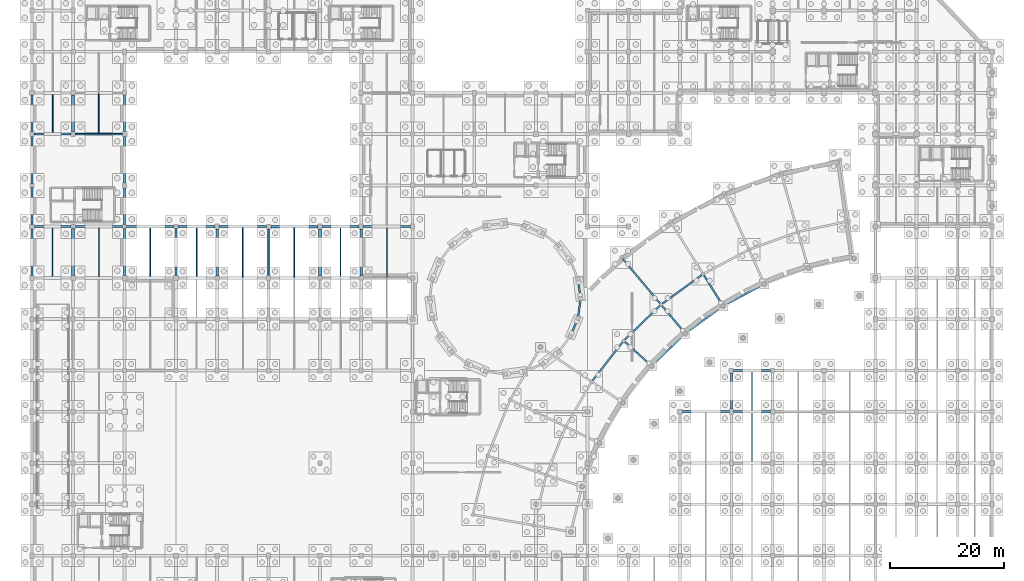
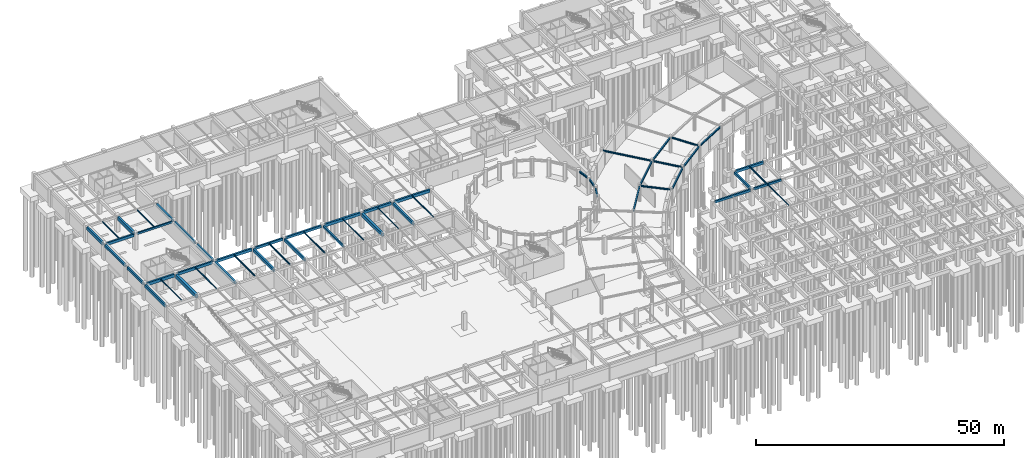
# One storey, part 21 of 42: 54 beams.
"""IFC4 building model written with IfcOpenShell, lengths in metres."""

import ifcopenshell
import ifcopenshell.guid

model = None  # the IFC model being written
_history = None  # IfcOwnerHistory: only IFC2X3 demands one
_inside = {}  # id of a spatial element -> (the spatial element, [elements in it])
_under = {}  # id of a project, library or spatial element -> (it, [spatial elements below it])
_declared = {}  # id of a project -> (the project, [libraries it declares])
_typed = {}  # id of a type object -> (the type object, [elements of that type])
_made_of = {}  # id of a material, layer set ... -> (it, [elements and type objects made of it])


def new_model(schema):
    """Start an empty IFC model of exactly this schema.

    Asked for "IFC4X3", IfcOpenShell would pick the latest addendum, in which some entities
    have other attributes; the version numbers below select the first issue.
    IFC2X3 requires an IfcOwnerHistory on every rooted entity: one is made here for all.
    """
    global model, _history
    if schema == "IFC4X3":
        model = ifcopenshell.file(schema_version=(4, 3, 0, 0))
    else:
        model = ifcopenshell.file(schema=schema)
    _inside.clear()
    _under.clear()
    _declared.clear()
    _typed.clear()
    _made_of.clear()
    _history = None
    if model.schema == "IFC2X3":
        org = make("IfcOrganization", Name="unknown")
        user = make(
            "IfcPersonAndOrganization",
            ThePerson=make("IfcPerson", FamilyName="unknown"),
            TheOrganization=org,
        )
        app = make(
            "IfcApplication",
            ApplicationDeveloper=org,
            Version="unknown",
            ApplicationFullName="unknown",
            ApplicationIdentifier="unknown",
        )
        _history = make(
            "IfcOwnerHistory",
            OwningUser=user,
            OwningApplication=app,
            ChangeAction="ADDED",
            CreationDate=0,
        )
    return model


def make(cls, **values):
    """One entity of the class cls with the attributes given. An attribute that is None is left unset."""
    return model.create_entity(
        cls, **{name: value for name, value in values.items() if value is not None}
    )


def rooted(cls, **values):
    """An entity with a GlobalId (a new one), such as an element, a storey or a relation."""
    return make(cls, GlobalId=ifcopenshell.guid.new(), OwnerHistory=_history, **values)


def si_unit(unit_type, name, prefix=None):
    """IfcSIUnit, for example si_unit("LENGTHUNIT", "METRE", prefix="MILLI")."""
    return make("IfcSIUnit", UnitType=unit_type, Prefix=prefix, Name=name)


def assignment(units):
    """IfcUnitAssignment: the units of a project."""
    return None if units is None else make("IfcUnitAssignment", Units=units)


def point(xyz):
    """IfcCartesianPoint."""
    return None if xyz is None else make("IfcCartesianPoint", Coordinates=xyz)


def direction(xyz):
    """IfcDirection."""
    return None if xyz is None else make("IfcDirection", DirectionRatios=xyz)


def frame(location, z_axis=None, x_axis=None):
    """IfcAxis2Placement3D, a coordinate frame: its origin and axes. An axis left out is left unset."""
    return make(
        "IfcAxis2Placement3D",
        Location=point(location),
        Axis=direction(z_axis),
        RefDirection=direction(x_axis),
    )


def frame_2d(location, x_axis=None):
    """IfcAxis2Placement2D, a coordinate frame in the plane: its origin and x axis."""
    return make(
        "IfcAxis2Placement2D", Location=point(location), RefDirection=direction(x_axis)
    )


def origin():
    """The frame at (0, 0, 0) with its axes left unset."""
    return frame((0.0, 0.0, 0.0))


def origin_2d():
    """The frame at (0, 0) in the plane with its x axis left unset."""
    return frame_2d((0.0, 0.0))


def place(relative_to, where):
    """IfcLocalPlacement: puts the frame where relative to a parent placement (None: the world)."""
    return make(
        "IfcLocalPlacement", PlacementRelTo=relative_to, RelativePlacement=where
    )


def context(
    kind, dimensions, precision=None, world=None, true_north=None, identifier=None
):
    """IfcGeometricRepresentationContext, for example the 3D "Model" context."""
    return make(
        "IfcGeometricRepresentationContext",
        ContextIdentifier=identifier,
        ContextType=kind,
        CoordinateSpaceDimension=dimensions,
        Precision=precision,
        WorldCoordinateSystem=world,
        TrueNorth=true_north,
    )


def subcontext(parent, identifier, kind, view, scale=None):
    """IfcGeometricRepresentationSubContext, for example "Body" below "Model"."""
    return make(
        "IfcGeometricRepresentationSubContext",
        ContextIdentifier=identifier,
        ContextType=kind,
        ParentContext=parent,
        TargetScale=scale,
        TargetView=view,
    )


def project(units=None, contexts=None):
    """IfcProject with its units and contexts."""
    return rooted(
        "IfcProject",
        Name="project",
        RepresentationContexts=contexts,
        UnitsInContext=assignment(units),
    )


def spatial(cls, under=None, at=None, **own):
    """A site, building, storey or space (cls), placed at a placement, below another one or the project."""
    s = rooted(cls, ObjectPlacement=at, **own)
    if under is not None:
        _under.setdefault(under.id(), (under, []))[1].append(s)
    return s


def profile(cls, at=None, kind="AREA", **sizes):
    """A parametric profile (cls). Its sizes go by their IFC names, for example OverallWidth=200.0."""
    return make(cls, ProfileType=kind, Position=at, **sizes)


def rectangle(**sizes):
    """IfcRectangleProfileDef."""
    return profile("IfcRectangleProfileDef", **sizes)


def i_section(**sizes):
    """IfcIShapeProfileDef."""
    return profile("IfcIShapeProfileDef", **sizes)


def extrude(swept, where, along, depth):
    """IfcExtrudedAreaSolid: the profile swept, set in the frame where, extruded along a direction by depth."""
    return make(
        "IfcExtrudedAreaSolid",
        SweptArea=swept,
        Position=where,
        ExtrudedDirection=direction(along),
        Depth=depth,
    )


def shape(context_of_items, identifier, shape_type, items):
    """IfcShapeRepresentation: the items that make up one representation, for example the "Body"."""
    return make(
        "IfcShapeRepresentation",
        ContextOfItems=context_of_items,
        RepresentationIdentifier=identifier,
        RepresentationType=shape_type,
        Items=items,
    )


def material(Name=None, Category=None):
    """IfcMaterial."""
    return make("IfcMaterial", Name=Name, Category=Category)


def material_profile(
    of_material, cross_section, Name=None, Category=None, Priority=None
):
    """IfcMaterialProfile: a cross section and its material."""
    return make(
        "IfcMaterialProfile",
        Name=Name,
        Material=of_material,
        Profile=cross_section,
        Priority=Priority,
        Category=Category,
    )


def profile_set(profiles, Name=None, composite=None):
    """IfcMaterialProfileSet."""
    return make(
        "IfcMaterialProfileSet",
        Name=Name,
        MaterialProfiles=profiles,
        CompositeProfile=composite,
    )


def made_of(thing, what):
    """Note that an element or type object is made of a material, layer set ...; save() writes the relation."""
    if what is not None:
        _made_of.setdefault(what.id(), (what, []))[1].append(thing)
    return thing


def type_object(cls, material=None, **own):
    """A type object (cls), such as IfcWallType, which elements share."""
    return made_of(rooted(cls, **own), material)


def element(
    cls,
    number,
    at=None,
    inside=None,
    cuts=None,
    type_object=None,
    material=None,
    context=None,
    identifier="Body",
    shape_type=None,
    held_by="IfcProductDefinitionShape",
    body=None,
    shapes=None,
    **own,
):
    """One element of the class cls, such as IfcWall. Its Tag is "e" and its number.

    at: its placement. inside: the storey or other place that contains it. cuts: it is an
    opening in that element (IfcRelVoidsElement). A single representation is given by context,
    identifier, shape_type and body (its items); several are given by shapes. held_by: the class
    of the entity that holds the representations. save() writes the other relations.
    """
    e = rooted(cls, Tag="e%d" % number, ObjectPlacement=at, **own)
    if body is not None:
        shapes = [shape(context, identifier, shape_type, body)]
    if shapes is not None:
        e.Representation = make(held_by, Representations=shapes)
    if inside is not None:
        _inside.setdefault(inside.id(), (inside, []))[1].append(e)
    if cuts is not None:
        rooted(
            "IfcRelVoidsElement", RelatingBuildingElement=cuts, RelatedOpeningElement=e
        )
    if type_object is not None:
        _typed.setdefault(type_object.id(), (type_object, []))[1].append(e)
    return made_of(e, material)


def aggregate(whole, parts):
    """IfcRelAggregates: a whole, such as a stair, and the parts it consists of."""
    return rooted("IfcRelAggregates", RelatingObject=whole, RelatedObjects=parts)


def save(model, path):
    """Write the relations noted so far, then the file.

    IfcRelAggregates (storeys below a building ...), IfcRelContainedInSpatialStructure (elements
    in a storey), IfcRelDefinesByType, IfcRelAssociatesMaterial and IfcRelDeclares: one each for
    every whole, place, type object, material and project.
    """
    for whole, parts in _under.values():
        aggregate(whole, parts)
    for where, things in _inside.values():
        rooted(
            "IfcRelContainedInSpatialStructure",
            RelatedElements=things,
            RelatingStructure=where,
        )
    for kind, things in _typed.values():
        rooted("IfcRelDefinesByType", RelatedObjects=things, RelatingType=kind)
    for what, things in _made_of.values():
        rooted("IfcRelAssociatesMaterial", RelatedObjects=things, RelatingMaterial=what)
    for by, libraries in _declared.values():
        rooted("IfcRelDeclares", RelatingContext=by, RelatedDefinitions=libraries)
    model.write(path)


model = new_model("IFC4")

# Units and contexts
model_context = context("Model", 3, precision=1e-05, world=origin(), true_north=direction((0.0, 1.0)))
body_context = subcontext(model_context, "Body", "Model", "MODEL_VIEW")
ifc_project = project(units=[si_unit("LENGTHUNIT", "METRE"), si_unit("AREAUNIT", "SQUARE_METRE"), si_unit("VOLUMEUNIT", "CUBIC_METRE"), si_unit("PLANEANGLEUNIT", "RADIAN"), si_unit("MASSUNIT", "GRAM", prefix="KILO")], contexts=[model_context])

# Site, building, storey
site_placement = place(None, origin())
site = spatial("IfcSite", under=ifc_project, at=site_placement, CompositionType="ELEMENT")
building_placement = place(site_placement, origin())
building = spatial("IfcBuilding", under=site, at=building_placement, Name="Clarverna Civic Hall", CompositionType="ELEMENT")
storey_placement = place(building_placement, frame((0.0, 0.0, -4.199951171875)))
storey = spatial("IfcBuildingStorey", under=building, at=storey_placement, Name="B01", CompositionType="ELEMENT", Elevation=-4.199951171875)

# Beams
ifc_material_1 = material(Name="Concrete C35/45", Category="concrete")
ifc_material_profile_1 = material_profile(ifc_material_1, rectangle(XDim=0.5, YDim=0.85009765625, at=origin_2d()), Name="RC 500x850")
ifc_profile_set_1 = profile_set([ifc_material_profile_1], Name="Concrete C35/45")
beam_type_1 = type_object("IfcBeamType", Name="B-RC1", PredefinedType="BEAM", material=ifc_profile_set_1)
beam_1_placement = place(storey_placement, frame((50.39990234375, 62.97509765625, 3.4150390625), z_axis=(0.0, 1.0, 0.0), x_axis=(-1.0, 0.0, 0.0)))
element("IfcBeam", 1, at=beam_1_placement, inside=storey, type_object=beam_type_1, Name="B-RC1-009", PredefinedType="BEAM", context=body_context, shape_type="SweptSolid", body=[
    extrude(rectangle(XDim=0.5, YDim=0.85009765625, at=origin_2d()), origin(), (0.0, 0.0, 1.0), 8.1748046875),
])
ifc_material_profile_2 = material_profile(ifc_material_1, rectangle(XDim=0.35009765625, YDim=0.5, at=origin_2d()), Name="RC 350x500")
ifc_profile_set_2 = profile_set([ifc_material_profile_2], Name="Concrete C35/45")
beam_type_2 = type_object("IfcBeamType", Name="B-RC10", PredefinedType="BEAM", material=ifc_profile_set_2)
beam_2_placement = place(storey_placement, frame((122.75, 39.199951171875, 3.699951171875), z_axis=(1.0, 0.0, 0.0), x_axis=(0.0, 1.0, 0.0)))
element("IfcBeam", 2, at=beam_2_placement, inside=storey, type_object=beam_type_2, Name="B-RC10-004", PredefinedType="BEAM", context=body_context, shape_type="SweptSolid", body=[
    extrude(rectangle(XDim=0.35009765625, YDim=0.5, at=origin_2d()), origin(), (0.0, 0.0, 1.0), 6.449951171875),
])
ifc_material_profile_3 = material_profile(ifc_material_1, rectangle(XDim=0.300048828125, YDim=0.5, at=origin_2d()), Name="RC 300x500")
ifc_profile_set_3 = profile_set([ifc_material_profile_3], Name="Concrete C35/45")
beam_type_3 = type_object("IfcBeamType", Name="B-RC12", PredefinedType="BEAM", material=ifc_profile_set_3)
beam_3_placement = place(storey_placement, frame((41.39990234375, 63.050048828125, 3.58984375), z_axis=(0.0, 1.0, 0.0), x_axis=(-1.0, 0.0, 0.0)))
element("IfcBeam", 3, at=beam_3_placement, inside=storey, type_object=beam_type_3, Name="B-RC12-012", PredefinedType="BEAM", context=body_context, shape_type="SweptSolid", body=[
    extrude(rectangle(XDim=0.300048828125, YDim=0.5, at=origin_2d()), origin(), (0.0, 0.0, 1.0), 8.14990234375),
])
ifc_material_profile_4 = material_profile(ifc_material_1, rectangle(XDim=0.550048828125, YDim=0.89990234375, at=origin_2d()), Name="RC 550x900")
ifc_profile_set_4 = profile_set([ifc_material_profile_4], Name="Concrete C35/45")
beam_type_4 = type_object("IfcBeamType", Name="B-RC13", PredefinedType="BEAM", material=ifc_profile_set_4)
beam_4_placement = place(storey_placement, frame((7.199951171875, 63.0, 3.389892578125), z_axis=(0.0, 1.0, 0.0), x_axis=(-1.0, 0.0, 0.0)))
element("IfcBeam", 4, at=beam_4_placement, inside=storey, type_object=beam_type_4, Name="B-RC13-008", PredefinedType="BEAM", context=body_context, shape_type="SweptSolid", body=[
    extrude(rectangle(XDim=0.550048828125, YDim=0.89990234375, at=origin_2d()), origin(), (0.0, 0.0, 1.0), 8.22509765625),
])
ifc_material_profile_5 = material_profile(ifc_material_1, rectangle(XDim=0.5, YDim=0.800048828125, at=origin_2d()), Name="RC 500x800")
ifc_profile_set_5 = profile_set([ifc_material_profile_5], Name="Concrete C35/45")
beam_type_5 = type_object("IfcBeamType", Name="B-RC14", PredefinedType="BEAM", material=ifc_profile_set_5)
beam_5_placement = place(storey_placement, frame((7.199951171875, 88.25, 3.43994140625), z_axis=(0.0, 1.0, 0.0), x_axis=(-1.0, 0.0, 0.0)))
element("IfcBeam", 5, at=beam_5_placement, inside=storey, type_object=beam_type_5, Name="B-RC14-009", PredefinedType="BEAM", context=body_context, shape_type="SweptSolid", body=[
    extrude(rectangle(XDim=0.5, YDim=0.800048828125, at=origin_2d()), origin(), (0.0, 0.0, 1.0), 6.35009765625),
])
ifc_material_profile_6 = material_profile(ifc_material_1, rectangle(XDim=0.39990234375, YDim=0.75, at=origin_2d()), Name="RC 400x750")
ifc_profile_set_6 = profile_set([ifc_material_profile_6], Name="Concrete C35/45")
beam_type_6 = type_object("IfcBeamType", Name="B-RC16", PredefinedType="BEAM", material=ifc_profile_set_6)
beam_6_placement = place(storey_placement, frame((0.39990234375, 71.60009765625, 3.46484375), z_axis=(1.0, 0.0, 0.0), x_axis=(0.0, 1.0, 0.0)))
element("IfcBeam", 6, at=beam_6_placement, inside=storey, type_object=beam_type_6, Name="B-RC16-006", PredefinedType="BEAM", context=body_context, shape_type="SweptSolid", body=[
    extrude(rectangle(XDim=0.39990234375, YDim=0.75, at=origin_2d()), origin(), (0.0, 0.0, 1.0), 6.425048828125),
])
beam_7_placement = place(storey_placement, frame((25.199951171875, 63.0, 3.46484375), z_axis=(0.0, 1.0, 0.0), x_axis=(-1.0, 0.0, 0.0)))
element("IfcBeam", 7, at=beam_7_placement, inside=storey, type_object=beam_type_6, Name="B-RC16-011", PredefinedType="BEAM", context=body_context, shape_type="SweptSolid", body=[
    extrude(rectangle(XDim=0.39990234375, YDim=0.75, at=origin_2d()), origin(), (0.0, 0.0, 1.0), 8.22509765625),
])
ifc_material_profile_7 = material_profile(ifc_material_1, rectangle(XDim=0.35009765625, YDim=0.64990234375, at=origin_2d()), Name="RC 350x650")
ifc_profile_set_7 = profile_set([ifc_material_profile_7], Name="Concrete C35/45")
beam_type_7 = type_object("IfcBeamType", Name="B-RC17", PredefinedType="BEAM", material=ifc_profile_set_7)
beam_8_placement = place(storey_placement, frame((7.574951171875, 71.60009765625, 3.514892578125), z_axis=(1.0, 0.0, 0.0), x_axis=(0.0, 1.0, 0.0)))
element("IfcBeam", 8, at=beam_8_placement, inside=storey, type_object=beam_type_7, Name="B-RC17-006", PredefinedType="BEAM", context=body_context, shape_type="SweptSolid", body=[
    extrude(rectangle(XDim=0.35009765625, YDim=0.64990234375, at=origin_2d()), origin(), (0.0, 0.0, 1.0), 8.25),
])
beam_9_placement = place(storey_placement, frame((0.35009765625, 87.800048828125, 3.514892578125), z_axis=(1.0, 0.0, 0.0), x_axis=(0.0, 1.0, 0.0)))
element("IfcBeam", 9, at=beam_9_placement, inside=storey, type_object=beam_type_7, Name="B-RC17-007", PredefinedType="BEAM", context=body_context, shape_type="SweptSolid", body=[
    extrude(rectangle(XDim=0.35009765625, YDim=0.64990234375, at=origin_2d()), origin(), (0.0, 0.0, 1.0), 6.5),
])
ifc_material_profile_8 = material_profile(ifc_material_1, rectangle(XDim=0.300048828125, YDim=0.449951171875, at=origin_2d()), Name="RC 300x450")
ifc_profile_set_8 = profile_set([ifc_material_profile_8], Name="Concrete C35/45")
beam_type_8 = type_object("IfcBeamType", Name="B-RC18", PredefinedType="BEAM", material=ifc_profile_set_8)
beam_10_placement = place(storey_placement, frame((7.550048828125, 87.800048828125, 3.614990234375), z_axis=(1.0, 0.0, 0.0), x_axis=(0.0, 1.0, 0.0)))
element("IfcBeam", 10, at=beam_10_placement, inside=storey, type_object=beam_type_8, Name="B-RC18-006", PredefinedType="BEAM", context=body_context, shape_type="SweptSolid", body=[
    extrude(rectangle(XDim=0.300048828125, YDim=0.449951171875, at=origin_2d()), origin(), (0.0, 0.0, 1.0), 8.25),
])
ifc_material_profile_9 = material_profile(ifc_material_1, rectangle(XDim=0.39990234375, YDim=0.699951171875, at=origin_2d()), Name="RC 400x700")
ifc_profile_set_9 = profile_set([ifc_material_profile_9], Name="Concrete C35/45")
beam_type_9 = type_object("IfcBeamType", Name="B-RC5", PredefinedType="BEAM", material=ifc_profile_set_9)
beam_11_placement = place(storey_placement, frame((57.949951171875, 71.60009765625, 3.489990234375), z_axis=(1.0, 0.0, 0.0), x_axis=(0.0, 1.0, 0.0)))
element("IfcBeam", 11, at=beam_11_placement, inside=storey, type_object=beam_type_9, Name="B-RC5-007", PredefinedType="BEAM", context=body_context, shape_type="SweptSolid", body=[
    extrude(rectangle(XDim=0.39990234375, YDim=0.699951171875, at=origin_2d()), origin(), (0.0, 0.0, 1.0), 8.300048828125),
])
beam_12_placement = place(storey_placement, frame((32.39990234375, 62.97509765625, 3.489990234375), z_axis=(0.0, 1.0, 0.0), x_axis=(-1.0, 0.0, 0.0)))
element("IfcBeam", 12, at=beam_12_placement, inside=storey, type_object=beam_type_9, Name="B-RC5-012", PredefinedType="BEAM", context=body_context, shape_type="SweptSolid", body=[
    extrude(rectangle(XDim=0.39990234375, YDim=0.699951171875, at=origin_2d()), origin(), (0.0, 0.0, 1.0), 8.1748046875),
])
ifc_material_profile_10 = material_profile(ifc_material_1, rectangle(XDim=0.39990234375, YDim=0.64990234375, at=origin_2d()), Name="RC 400x650")
ifc_profile_set_10 = profile_set([ifc_material_profile_10], Name="Concrete C35/45")
beam_type_10 = type_object("IfcBeamType", Name="B-RC6", PredefinedType="BEAM", material=ifc_profile_set_10)
beam_13_placement = place(storey_placement, frame((122.800048828125, 46.39990234375, 3.625), z_axis=(1.0, 0.0, 0.0), x_axis=(0.0, 1.0, 0.0)))
element("IfcBeam", 13, at=beam_13_placement, inside=storey, type_object=beam_type_10, Name="B-RC6-004", PredefinedType="BEAM", context=body_context, shape_type="SweptSolid", body=[
    extrude(rectangle(XDim=0.39990234375, YDim=0.64990234375, at=origin_2d()), origin(), (0.0, 0.0, 1.0), 6.425048828125),
])
beam_14_placement = place(storey_placement, frame((57.60009765625, 62.97509765625, 3.514892578125), z_axis=(0.0, 1.0, 0.0), x_axis=(-1.0, 0.0, 0.0)))
element("IfcBeam", 14, at=beam_14_placement, inside=storey, type_object=beam_type_10, Name="B-RC6-011", PredefinedType="BEAM", context=body_context, shape_type="SweptSolid", body=[
    extrude(rectangle(XDim=0.39990234375, YDim=0.64990234375, at=origin_2d()), origin(), (0.0, 0.0, 1.0), 8.1748046875),
])
ifc_material_profile_11 = material_profile(ifc_material_1, rectangle(XDim=0.39990234375, YDim=0.60009765625, at=origin_2d()), Name="RC 400x600")
ifc_profile_set_11 = profile_set([ifc_material_profile_11], Name="Concrete C35/45")
beam_type_11 = type_object("IfcBeamType", Name="B-RC7", PredefinedType="BEAM", material=ifc_profile_set_11)
beam_15_placement = place(storey_placement, frame((16.199951171875, 63.0, 3.5400390625), z_axis=(0.0, 1.0, 0.0), x_axis=(-1.0, 0.0, 0.0)))
element("IfcBeam", 15, at=beam_15_placement, inside=storey, type_object=beam_type_11, Name="B-RC7-011", PredefinedType="BEAM", context=body_context, shape_type="SweptSolid", body=[
    extrude(rectangle(XDim=0.39990234375, YDim=0.60009765625, at=origin_2d()), origin(), (0.0, 0.0, 1.0), 8.22509765625),
])
ifc_material_profile_12 = material_profile(ifc_material_1, rectangle(XDim=0.35009765625, YDim=0.550048828125, at=origin_2d()), Name="RC 350x550")
ifc_profile_set_12 = profile_set([ifc_material_profile_12], Name="Concrete C35/45")
beam_type_12 = type_object("IfcBeamType", Name="B-RC9", PredefinedType="BEAM", material=ifc_profile_set_12)
beam_16_placement = place(storey_placement, frame((113.800048828125, 39.199951171875, 3.675048828125), z_axis=(1.0, 0.0, 0.0), x_axis=(0.0, 1.0, 0.0)))
element("IfcBeam", 16, at=beam_16_placement, inside=storey, type_object=beam_type_12, Name="B-RC9-004", PredefinedType="BEAM", context=body_context, shape_type="SweptSolid", body=[
    extrude(rectangle(XDim=0.35009765625, YDim=0.550048828125, at=origin_2d()), origin(), (0.0, 0.0, 1.0), 8.25),
])
beam_17_placement = place(storey_placement, frame((122.39990234375, 39.64990234375, 3.675048828125), z_axis=(0.0, 1.0, 0.0), x_axis=(-1.0, 0.0, 0.0)))
element("IfcBeam", 17, at=beam_17_placement, inside=storey, type_object=beam_type_12, Name="B-RC9-013", PredefinedType="BEAM", context=body_context, shape_type="SweptSolid", body=[
    extrude(rectangle(XDim=0.35009765625, YDim=0.550048828125, at=origin_2d()), origin(), (0.0, 0.0, 1.0), 6.35009765625),
])
ifc_material_profile_13 = material_profile(ifc_material_1, rectangle(XDim=0.419921875, YDim=0.719970703125, at=origin_2d()), Name="RC 420x720")
ifc_profile_set_13 = profile_set([ifc_material_profile_13], Name="Concrete C35/45")
beam_type_13 = type_object("IfcBeamType", Name="B-SP1", PredefinedType="SPANDREL", material=ifc_profile_set_13)
beam_18_placement = place(storey_placement, frame((41.800048828125, 71.60009765625, 3.47998046875), z_axis=(1.0, 0.0, 0.0), x_axis=(0.0, 1.0, 0.0)))
element("IfcBeam", 18, at=beam_18_placement, inside=storey, type_object=beam_type_13, Name="B-SP1-007", PredefinedType="SPANDREL", context=body_context, shape_type="SweptSolid", body=[
    extrude(rectangle(XDim=0.419921875, YDim=0.719970703125, at=origin_2d()), origin(), (0.0, 0.0, 1.0), 8.25),
])
beam_19_placement = place(storey_placement, frame((0.0, 88.25, 3.47998046875), z_axis=(0.0, 1.0, 0.0), x_axis=(-1.0, 0.0, 0.0)))
element("IfcBeam", 19, at=beam_19_placement, inside=storey, type_object=beam_type_13, Name="B-SP1-019", PredefinedType="SPANDREL", context=body_context, shape_type="SweptSolid", body=[
    extrude(rectangle(XDim=0.419921875, YDim=0.719970703125, at=origin_2d()), origin(), (0.0, 0.0, 1.0), 6.35009765625),
])
ifc_material_profile_14 = material_profile(ifc_material_1, rectangle(XDim=0.3798828125, YDim=0.679931640625, at=origin_2d()), Name="RC 380x680")
ifc_profile_set_14 = profile_set([ifc_material_profile_14], Name="Concrete C35/45")
beam_type_14 = type_object("IfcBeamType", Name="B-SP2", PredefinedType="SPANDREL", material=ifc_profile_set_14)
beam_20_placement = place(storey_placement, frame((16.574951171875, 71.60009765625, 3.5), z_axis=(1.0, 0.0, 0.0), x_axis=(0.0, 1.0, 0.0)))
element("IfcBeam", 20, at=beam_20_placement, inside=storey, type_object=beam_type_14, Name="B-SP2-007", PredefinedType="SPANDREL", context=body_context, shape_type="SweptSolid", body=[
    extrude(rectangle(XDim=0.3798828125, YDim=0.679931640625, at=origin_2d()), origin(), (0.0, 0.0, 1.0), 8.25),
])
beam_21_placement = place(storey_placement, frame((50.75, 71.60009765625, 3.5), z_axis=(1.0, 0.0, 0.0), x_axis=(0.0, 1.0, 0.0)))
element("IfcBeam", 21, at=beam_21_placement, inside=storey, type_object=beam_type_14, Name="B-SP2-008", PredefinedType="SPANDREL", context=body_context, shape_type="SweptSolid", body=[
    extrude(rectangle(XDim=0.3798828125, YDim=0.679931640625, at=origin_2d()), origin(), (0.0, 0.0, 1.0), 6.5),
])
beam_22_placement = place(storey_placement, frame((0.0, 63.050048828125, 3.5), z_axis=(0.0, 1.0, 0.0), x_axis=(-1.0, 0.0, 0.0)))
element("IfcBeam", 22, at=beam_22_placement, inside=storey, type_object=beam_type_14, Name="B-SP2-018", PredefinedType="SPANDREL", context=body_context, shape_type="SweptSolid", body=[
    extrude(rectangle(XDim=0.3798828125, YDim=0.679931640625, at=origin_2d()), origin(), (0.0, 0.0, 1.0), 8.14990234375),
])
beam_23_placement = place(storey_placement, frame((16.199951171875, 71.97509765625, 3.5), z_axis=(0.0, 1.0, 0.0), x_axis=(-1.0, 0.0, 0.0)))
element("IfcBeam", 23, at=beam_23_placement, inside=storey, type_object=beam_type_14, Name="B-SP2-020", PredefinedType="SPANDREL", context=body_context, shape_type="SweptSolid", body=[
    extrude(rectangle(XDim=0.3798828125, YDim=0.679931640625, at=origin_2d()), origin(), (0.0, 0.0, 1.0), 6.375),
])
ifc_material_profile_15 = material_profile(ifc_material_1, rectangle(XDim=0.360107421875, YDim=0.6201171875, at=origin_2d()), Name="RC 360x620")
ifc_profile_set_15 = profile_set([ifc_material_profile_15], Name="Concrete C35/45")
beam_type_15 = type_object("IfcBeamType", Name="B-SP3", PredefinedType="SPANDREL", material=ifc_profile_set_15)
beam_24_placement = place(storey_placement, frame((25.574951171875, 71.60009765625, 3.530029296875), z_axis=(1.0, 0.0, 0.0), x_axis=(0.0, 1.0, 0.0)))
element("IfcBeam", 24, at=beam_24_placement, inside=storey, type_object=beam_type_15, Name="B-SP3-008", PredefinedType="SPANDREL", context=body_context, shape_type="SweptSolid", body=[
    extrude(rectangle(XDim=0.360107421875, YDim=0.6201171875, at=origin_2d()), origin(), (0.0, 0.0, 1.0), 6.47509765625),
])
beam_25_placement = place(storey_placement, frame((0.0, 72.0, 3.530029296875), z_axis=(0.0, 1.0, 0.0), x_axis=(-1.0, 0.0, 0.0)))
element("IfcBeam", 25, at=beam_25_placement, inside=storey, type_object=beam_type_15, Name="B-SP3-018", PredefinedType="SPANDREL", context=body_context, shape_type="SweptSolid", body=[
    extrude(rectangle(XDim=0.360107421875, YDim=0.6201171875, at=origin_2d()), origin(), (0.0, 0.0, 1.0), 6.425048828125),
])
beam_26_placement = place(storey_placement, frame((16.199951171875, 79.25, 3.530029296875), z_axis=(0.0, 1.0, 0.0), x_axis=(-1.0, 0.0, 0.0)))
element("IfcBeam", 26, at=beam_26_placement, inside=storey, type_object=beam_type_15, Name="B-SP3-020", PredefinedType="SPANDREL", context=body_context, shape_type="SweptSolid", body=[
    extrude(rectangle(XDim=0.360107421875, YDim=0.6201171875, at=origin_2d()), origin(), (0.0, 0.0, 1.0), 8.14990234375),
])
ifc_material_profile_16 = material_profile(ifc_material_1, rectangle(XDim=0.39990234375, YDim=0.56005859375, at=origin_2d()), Name="RC 400x560")
ifc_profile_set_16 = profile_set([ifc_material_profile_16], Name="Concrete C35/45")
beam_type_16 = type_object("IfcBeamType", Name="B-SP4", PredefinedType="SPANDREL", material=ifc_profile_set_16)
beam_27_placement = place(storey_placement, frame((32.75, 71.60009765625, 3.56005859375), z_axis=(1.0, 0.0, 0.0), x_axis=(0.0, 1.0, 0.0)))
element("IfcBeam", 27, at=beam_27_placement, inside=storey, type_object=beam_type_16, Name="B-SP4-008", PredefinedType="SPANDREL", context=body_context, shape_type="SweptSolid", body=[
    extrude(rectangle(XDim=0.39990234375, YDim=0.56005859375, at=origin_2d()), origin(), (0.0, 0.0, 1.0), 8.25),
])
beam_28_placement = place(storey_placement, frame((0.0, 79.175048828125, 3.56005859375), z_axis=(0.0, 1.0, 0.0), x_axis=(-1.0, 0.0, 0.0)))
element("IfcBeam", 28, at=beam_28_placement, inside=storey, type_object=beam_type_16, Name="B-SP4-018", PredefinedType="SPANDREL", context=body_context, shape_type="SweptSolid", body=[
    extrude(rectangle(XDim=0.39990234375, YDim=0.56005859375, at=origin_2d()), origin(), (0.0, 0.0, 1.0), 8.175048828125),
])
beam_29_placement = place(storey_placement, frame((16.199951171875, 88.199951171875, 3.56005859375), z_axis=(0.0, 1.0, 0.0), x_axis=(-1.0, 0.0, 0.0)))
element("IfcBeam", 29, at=beam_29_placement, inside=storey, type_object=beam_type_16, Name="B-SP4-020", PredefinedType="SPANDREL", context=body_context, shape_type="SweptSolid", body=[
    extrude(rectangle(XDim=0.39990234375, YDim=0.56005859375, at=origin_2d()), origin(), (0.0, 0.0, 1.0), 6.425048828125),
])
ifc_material_2 = material(Name="Steel S355", Category="steel")
ifc_material_profile_17 = material_profile(ifc_material_2, i_section(OverallWidth=0.300048828125, OverallDepth=0.43994140625, WebThickness=0.011474609375, FlangeThickness=0.02099609375, FilletRadius=0.027099609375, at=origin_2d()), Name="HEA 450")
ifc_profile_set_17 = profile_set([ifc_material_profile_17], Name="Steel S355")
beam_type_17 = type_object("IfcBeamType", Name="B-ST5", PredefinedType="BEAM", material=ifc_profile_set_17)
beam_30_placement = place(storey_placement, frame((95.94970703125, 59.381591796875, 3.619873046875), z_axis=(-0.130466312892, 0.991452742797, 0.0), x_axis=(-0.991452742797, -0.130466312892, 0.0)))
element("IfcBeam", 30, at=beam_30_placement, inside=storey, type_object=beam_type_17, Name="B-ST5-001", PredefinedType="BEAM", context=body_context, shape_type="SweptSolid", body=[
    extrude(i_section(OverallWidth=0.300048828125, OverallDepth=0.43994140625, WebThickness=0.011474609375, FlangeThickness=0.02099609375, FilletRadius=0.027099609375, at=origin_2d()), origin(), (0.0, 0.0, 1.0), 2.676025390625),
])
beam_31_placement = place(storey_placement, frame((94.37890625, 52.755615234375, 3.619873046875), z_axis=(0.382658002616, 0.923890065448, 0.0), x_axis=(-0.923890065448, 0.382658002616, 0.0)))
element("IfcBeam", 31, at=beam_31_placement, inside=storey, type_object=beam_type_17, Name="B-ST5-023", PredefinedType="BEAM", context=body_context, shape_type="SweptSolid", body=[
    extrude(i_section(OverallWidth=0.300048828125, OverallDepth=0.43994140625, WebThickness=0.011474609375, FlangeThickness=0.02099609375, FilletRadius=0.027099609375, at=origin_2d()), origin(), (0.0, 0.0, 1.0), 2.67578125),
])
beam_32_placement = place(storey_placement, frame((95.6005859375, 55.96533203125, 3.619873046875), z_axis=(0.130466312892, 0.991452742797, 0.0), x_axis=(-0.991452742797, 0.130466312892, 0.0)))
element("IfcBeam", 32, at=beam_32_placement, inside=storey, type_object=beam_type_17, Name="B-ST5-024", PredefinedType="BEAM", context=body_context, shape_type="SweptSolid", body=[
    extrude(i_section(OverallWidth=0.300048828125, OverallDepth=0.43994140625, WebThickness=0.011474609375, FlangeThickness=0.02099609375, FilletRadius=0.027099609375, at=origin_2d()), origin(), (0.0, 0.0, 1.0), 2.676025390625),
])
ifc_material_profile_18 = material_profile(ifc_material_2, i_section(OverallWidth=0.300048828125, OverallDepth=0.330078125, WebThickness=0.009521484375, FlangeThickness=0.0166015625, FilletRadius=0.027099609375, at=origin_2d()), Name="HEA 340")
ifc_profile_set_18 = profile_set([ifc_material_profile_18], Name="Steel S355")
beam_type_18 = type_object("IfcBeamType", Name="B-ST8", PredefinedType="BEAM", material=ifc_profile_set_18)
for number, where, z_axis, x_axis, name in (
    (33, (127.91357421875, 61.39990234375, 3.675048828125), (-0.882950249119, -0.469466567053, 0.0), (0.469466567053, -0.882950249119, 0.0), "B-ST8-003"),
    (34, (120.716064453125, 57.528076171875, 3.675048828125), (-0.809006687262, -0.587799438555, 0.0), (0.587799438555, -0.809006687262, 0.0), "B-ST8-004"),
):
    element("IfcBeam", number, at=place(storey_placement, frame(where, z_axis=z_axis, x_axis=x_axis)), inside=storey, type_object=beam_type_18, Name=name, PredefinedType="BEAM", context=body_context, shape_type="SweptSolid", body=[
        extrude(i_section(OverallWidth=0.300048828125, OverallDepth=0.330078125, WebThickness=0.009521484375, FlangeThickness=0.0166015625, FilletRadius=0.027099609375, at=origin_2d()), origin(), (0.0, 0.0, 1.0), 7.60546875),
    ])
beam_33_placement = place(storey_placement, frame((114.127685546875, 52.692138671875, 3.675048828125), z_axis=(-0.719357761933, -0.694639770202, 0.0), x_axis=(0.694639770202, -0.719357761933, 0.0)))
element("IfcBeam", 35, at=beam_33_placement, inside=storey, type_object=beam_type_18, Name="B-ST8-005", PredefinedType="BEAM", context=body_context, shape_type="SweptSolid", body=[
    extrude(i_section(OverallWidth=0.300048828125, OverallDepth=0.330078125, WebThickness=0.009521484375, FlangeThickness=0.0166015625, FilletRadius=0.027099609375, at=origin_2d()), origin(), (0.0, 0.0, 1.0), 7.605224609375),
])
for number, where, z_axis, x_axis, name in (
    (36, (117.21875, 63.125244140625, 3.675048828125), (-0.809013353233, -0.587790263862, 0.0), (0.587790263862, -0.809013353233, 0.0), "B-ST8-013"),
    (37, (109.88525390625, 57.748046875, 3.675048828125), (-0.719340278243, -0.694657875574, 0.0), (0.694657875574, -0.719340278243, 0.0), "B-ST8-014"),
):
    element("IfcBeam", number, at=place(storey_placement, frame(where, z_axis=z_axis, x_axis=x_axis)), inside=storey, type_object=beam_type_18, Name=name, PredefinedType="BEAM", context=body_context, shape_type="SweptSolid", body=[
        extrude(i_section(OverallWidth=0.300048828125, OverallDepth=0.330078125, WebThickness=0.009521484375, FlangeThickness=0.0166015625, FilletRadius=0.027099609375, at=origin_2d()), origin(), (0.0, 0.0, 1.0), 8.5263671875),
    ])
beam_34_placement = place(storey_placement, frame((103.37158203125, 51.402587890625, 3.675048828125), z_axis=(-0.615675715083, -0.787999628081, 0.0), x_axis=(0.787999628081, -0.615675715083, 0.0)))
element("IfcBeam", 38, at=beam_34_placement, inside=storey, type_object=beam_type_18, Name="B-ST8-015", PredefinedType="BEAM", context=body_context, shape_type="SweptSolid", body=[
    extrude(i_section(OverallWidth=0.300048828125, OverallDepth=0.330078125, WebThickness=0.009521484375, FlangeThickness=0.0166015625, FilletRadius=0.027099609375, at=origin_2d()), origin(), (0.0, 0.0, 1.0), 8.526123046875),
])
ifc_material_profile_19 = material_profile(ifc_material_2, i_section(OverallWidth=0.300048828125, OverallDepth=0.31005859375, WebThickness=0.009033203125, FlangeThickness=0.015380859375, FilletRadius=0.027099609375, at=origin_2d()), Name="HEA 320")
ifc_profile_set_19 = profile_set([ifc_material_profile_19], Name="Steel S355")
beam_type_19 = type_object("IfcBeamType", Name="B-ST9", PredefinedType="BEAM", material=ifc_profile_set_19)
for number, where, z_axis, x_axis, name in (
    (39, (120.795654296875, 57.937255859375, 3.68505859375), (-0.529904313533, 0.848057438208, 0.0), (-0.848057438208, -0.529904313533, 0.0), "B-ST9-007"),
    (40, (114.1494140625, 53.1083984375, 3.68505859375), (-0.642773256367, 0.766056486755, 0.0), (-0.766056486755, -0.642773256367, 0.0), "B-ST9-009"),
):
    element("IfcBeam", number, at=place(storey_placement, frame(where, z_axis=z_axis, x_axis=x_axis)), inside=storey, type_object=beam_type_19, Name=name, PredefinedType="BEAM", context=body_context, shape_type="SweptSolid", body=[
        extrude(i_section(OverallWidth=0.300048828125, OverallDepth=0.31005859375, WebThickness=0.009033203125, FlangeThickness=0.015380859375, FilletRadius=0.027099609375, at=origin_2d()), origin(), (0.0, 0.0, 1.0), 6.030029296875),
    ])
beam_35_placement = place(storey_placement, frame((109.906982421875, 58.164306640625, 3.68505859375), z_axis=(-0.642772230485, 0.766057347538, 0.0), x_axis=(-0.766057347538, -0.642772230485, 0.0)))
element("IfcBeam", 41, at=beam_35_placement, inside=storey, type_object=beam_type_19, Name="B-ST9-010", PredefinedType="BEAM", context=body_context, shape_type="SweptSolid", body=[
    extrude(i_section(OverallWidth=0.300048828125, OverallDepth=0.31005859375, WebThickness=0.009033203125, FlangeThickness=0.015380859375, FilletRadius=0.027099609375, at=origin_2d()), origin(), (0.0, 0.0, 1.0), 10.230224609375),
])
beam_36_placement = place(storey_placement, frame((108.239990234375, 47.40185546875, 3.68505859375), z_axis=(-0.743163271958, 0.669110118898, 0.0), x_axis=(-0.669110118898, -0.743163271958, 0.0)))
element("IfcBeam", 42, at=beam_36_placement, inside=storey, type_object=beam_type_19, Name="B-ST9-011", PredefinedType="BEAM", context=body_context, shape_type="SweptSolid", body=[
    extrude(i_section(OverallWidth=0.300048828125, OverallDepth=0.31005859375, WebThickness=0.009033203125, FlangeThickness=0.015380859375, FilletRadius=0.027099609375, at=origin_2d()), origin(), (0.0, 0.0, 1.0), 6.02978515625),
])
ifc_material_profile_20 = material_profile(ifc_material_2, i_section(OverallWidth=0.169921875, OverallDepth=0.360107421875, WebThickness=0.008056640625, FlangeThickness=0.0126953125, FilletRadius=0.01806640625, at=origin_2d()), Name="IPE 360")
ifc_profile_set_20 = profile_set([ifc_material_profile_20], Name="Steel S355")
beam_type_20 = type_object("IfcBeamType", Name="J-ST1", PredefinedType="JOIST", material=ifc_profile_set_20)
beam_37_placement = place(storey_placement, frame((126.0, 39.375, 3.77001953125), z_axis=(0.0, 1.0, 0.0), x_axis=(-1.0, 0.0, 0.0)))
element("IfcBeam", 43, at=beam_37_placement, inside=storey, type_object=beam_type_20, Name="J-ST1-011", PredefinedType="JOIST", context=body_context, shape_type="SweptSolid", body=[
    extrude(i_section(OverallWidth=0.169921875, OverallDepth=0.360107421875, WebThickness=0.008056640625, FlangeThickness=0.0126953125, FilletRadius=0.01806640625, at=origin_2d()), origin(), (0.0, 0.0, 1.0), 6.824951171875),
])
beam_38_placement = place(storey_placement, frame((20.699951171875, 62.800048828125, 3.659912109375), z_axis=(0.0, 1.0, 0.0), x_axis=(-1.0, 0.0, 0.0)))
element("IfcBeam", 44, at=beam_38_placement, inside=storey, type_object=beam_type_20, Name="J-ST1-015", PredefinedType="JOIST", context=body_context, shape_type="SweptSolid", body=[
    extrude(i_section(OverallWidth=0.169921875, OverallDepth=0.360107421875, WebThickness=0.008056640625, FlangeThickness=0.0126953125, FilletRadius=0.01806640625, at=origin_2d()), origin(), (0.0, 0.0, 1.0), 8.60986328125),
])
ifc_material_profile_21 = material_profile(ifc_material_2, i_section(OverallWidth=0.159912109375, OverallDepth=0.330078125, WebThickness=0.007568359375, FlangeThickness=0.011474609375, FilletRadius=0.01806640625, at=origin_2d()), Name="IPE 330")
ifc_profile_set_21 = profile_set([ifc_material_profile_21], Name="Steel S355")
beam_type_21 = type_object("IfcBeamType", Name="J-ST2", PredefinedType="JOIST", material=ifc_profile_set_21)
beam_39_placement = place(storey_placement, frame((28.800048828125, 62.77490234375, 3.675048828125), z_axis=(0.0, 1.0, 0.0), x_axis=(-1.0, 0.0, 0.0)))
element("IfcBeam", 45, at=beam_39_placement, inside=storey, type_object=beam_type_21, Name="J-ST2-015", PredefinedType="JOIST", context=body_context, shape_type="SweptSolid", body=[
    extrude(i_section(OverallWidth=0.159912109375, OverallDepth=0.330078125, WebThickness=0.007568359375, FlangeThickness=0.011474609375, FilletRadius=0.01806640625, at=origin_2d()), origin(), (0.0, 0.0, 1.0), 8.64501953125),
])
beam_40_placement = place(storey_placement, frame((3.60009765625, 87.97509765625, 3.675048828125), z_axis=(0.0, 1.0, 0.0), x_axis=(-1.0, 0.0, 0.0)))
element("IfcBeam", 46, at=beam_40_placement, inside=storey, type_object=beam_type_21, Name="J-ST2-017", PredefinedType="JOIST", context=body_context, shape_type="SweptSolid", body=[
    extrude(i_section(OverallWidth=0.159912109375, OverallDepth=0.330078125, WebThickness=0.007568359375, FlangeThickness=0.011474609375, FilletRadius=0.01806640625, at=origin_2d()), origin(), (0.0, 0.0, 1.0), 6.849853515625),
])
ifc_material_profile_22 = material_profile(ifc_material_2, i_section(OverallWidth=0.14990234375, OverallDepth=0.300048828125, WebThickness=0.007080078125, FlangeThickness=0.0107421875, FilletRadius=0.014892578125, at=origin_2d()), Name="IPE 300")
ifc_profile_set_22 = profile_set([ifc_material_profile_22], Name="Steel S355")
beam_type_22 = type_object("IfcBeamType", Name="J-ST3", PredefinedType="JOIST", material=ifc_profile_set_22)
beam_41_placement = place(storey_placement, frame((36.89990234375, 62.77490234375, 3.68994140625), z_axis=(0.0, 1.0, 0.0), x_axis=(-1.0, 0.0, 0.0)))
element("IfcBeam", 47, at=beam_41_placement, inside=storey, type_object=beam_type_22, Name="J-ST3-015", PredefinedType="JOIST", context=body_context, shape_type="SweptSolid", body=[
    extrude(i_section(OverallWidth=0.14990234375, OverallDepth=0.300048828125, WebThickness=0.007080078125, FlangeThickness=0.0107421875, FilletRadius=0.014892578125, at=origin_2d()), origin(), (0.0, 0.0, 1.0), 8.625),
])
beam_42_placement = place(storey_placement, frame((11.699951171875, 87.949951171875, 3.68994140625), z_axis=(0.0, 1.0, 0.0), x_axis=(-1.0, 0.0, 0.0)))
element("IfcBeam", 48, at=beam_42_placement, inside=storey, type_object=beam_type_22, Name="J-ST3-017", PredefinedType="JOIST", context=body_context, shape_type="SweptSolid", body=[
    extrude(i_section(OverallWidth=0.14990234375, OverallDepth=0.300048828125, WebThickness=0.007080078125, FlangeThickness=0.0107421875, FilletRadius=0.014892578125, at=origin_2d()), origin(), (0.0, 0.0, 1.0), 6.900146484375),
])
ifc_material_profile_23 = material_profile(ifc_material_2, i_section(OverallWidth=0.135009765625, OverallDepth=0.27001953125, WebThickness=0.006591796875, FlangeThickness=0.01025390625, FilletRadius=0.014892578125, at=origin_2d()), Name="IPE 270")
ifc_profile_set_23 = profile_set([ifc_material_profile_23], Name="Steel S355")
beam_type_23 = type_object("IfcBeamType", Name="J-ST4", PredefinedType="JOIST", material=ifc_profile_set_23)
beam_43_placement = place(storey_placement, frame((45.89990234375, 62.77490234375, 3.704833984375), z_axis=(0.0, 1.0, 0.0), x_axis=(-1.0, 0.0, 0.0)))
element("IfcBeam", 49, at=beam_43_placement, inside=storey, type_object=beam_type_23, Name="J-ST4-017", PredefinedType="JOIST", context=body_context, shape_type="SweptSolid", body=[
    extrude(i_section(OverallWidth=0.135009765625, OverallDepth=0.27001953125, WebThickness=0.006591796875, FlangeThickness=0.01025390625, FilletRadius=0.014892578125, at=origin_2d()), origin(), (0.0, 0.0, 1.0), 8.614990234375),
])
ifc_material_profile_24 = material_profile(ifc_material_2, i_section(OverallWidth=0.1201171875, OverallDepth=0.239990234375, WebThickness=0.006103515625, FlangeThickness=0.009765625, FilletRadius=0.014892578125, at=origin_2d()), Name="IPE 240")
ifc_profile_set_24 = profile_set([ifc_material_profile_24], Name="Steel S355")
beam_type_24 = type_object("IfcBeamType", Name="J-ST5", PredefinedType="JOIST", material=ifc_profile_set_24)
beam_44_placement = place(storey_placement, frame((126.0, 30.35009765625, 3.829833984375), z_axis=(0.0, 1.0, 0.0), x_axis=(-1.0, 0.0, 0.0)))
element("IfcBeam", 50, at=beam_44_placement, inside=storey, type_object=beam_type_24, Name="J-ST5-009", PredefinedType="JOIST", context=body_context, shape_type="SweptSolid", body=[
    extrude(i_section(OverallWidth=0.1201171875, OverallDepth=0.239990234375, WebThickness=0.006103515625, FlangeThickness=0.009765625, FilletRadius=0.014892578125, at=origin_2d()), origin(), (0.0, 0.0, 1.0), 8.6748046875),
])
beam_45_placement = place(storey_placement, frame((3.60009765625, 62.800048828125, 3.719970703125), z_axis=(0.0, 1.0, 0.0), x_axis=(-1.0, 0.0, 0.0)))
element("IfcBeam", 51, at=beam_45_placement, inside=storey, type_object=beam_type_24, Name="J-ST5-014", PredefinedType="JOIST", context=body_context, shape_type="SweptSolid", body=[
    extrude(i_section(OverallWidth=0.1201171875, OverallDepth=0.239990234375, WebThickness=0.006103515625, FlangeThickness=0.009765625, FilletRadius=0.014892578125, at=origin_2d()), origin(), (0.0, 0.0, 1.0), 8.599853515625),
])
beam_46_placement = place(storey_placement, frame((54.0, 62.75, 3.719970703125), z_axis=(0.0, 1.0, 0.0), x_axis=(-1.0, 0.0, 0.0)))
element("IfcBeam", 52, at=beam_46_placement, inside=storey, type_object=beam_type_24, Name="J-ST5-015", PredefinedType="JOIST", context=body_context, shape_type="SweptSolid", body=[
    extrude(i_section(OverallWidth=0.1201171875, OverallDepth=0.239990234375, WebThickness=0.006103515625, FlangeThickness=0.009765625, FilletRadius=0.014892578125, at=origin_2d()), origin(), (0.0, 0.0, 1.0), 8.659912109375),
])
ifc_material_profile_25 = material_profile(ifc_material_2, i_section(OverallWidth=0.110107421875, OverallDepth=0.219970703125, WebThickness=0.005859375, FlangeThickness=0.00927734375, FilletRadius=0.011962890625, at=origin_2d()), Name="IPE 220")
ifc_profile_set_25 = profile_set([ifc_material_profile_25], Name="Steel S355")
beam_type_25 = type_object("IfcBeamType", Name="J-ST6", PredefinedType="JOIST", material=ifc_profile_set_25)
beam_47_placement = place(storey_placement, frame((11.699951171875, 62.800048828125, 3.72998046875), z_axis=(0.0, 1.0, 0.0), x_axis=(-1.0, 0.0, 0.0)))
element("IfcBeam", 53, at=beam_47_placement, inside=storey, type_object=beam_type_25, Name="J-ST6-015", PredefinedType="JOIST", context=body_context, shape_type="SweptSolid", body=[
    extrude(i_section(OverallWidth=0.110107421875, OverallDepth=0.219970703125, WebThickness=0.005859375, FlangeThickness=0.00927734375, FilletRadius=0.011962890625, at=origin_2d()), origin(), (0.0, 0.0, 1.0), 8.625),
])
beam_48_placement = place(storey_placement, frame((62.10009765625, 62.75, 3.72998046875), z_axis=(0.0, 1.0, 0.0), x_axis=(-1.0, 0.0, 0.0)))
element("IfcBeam", 54, at=beam_48_placement, inside=storey, type_object=beam_type_25, Name="J-ST6-016", PredefinedType="JOIST", context=body_context, shape_type="SweptSolid", body=[
    extrude(i_section(OverallWidth=0.110107421875, OverallDepth=0.219970703125, WebThickness=0.005859375, FlangeThickness=0.00927734375, FilletRadius=0.011962890625, at=origin_2d()), origin(), (0.0, 0.0, 1.0), 8.64990234375),
])

save(model, "model.ifc")
